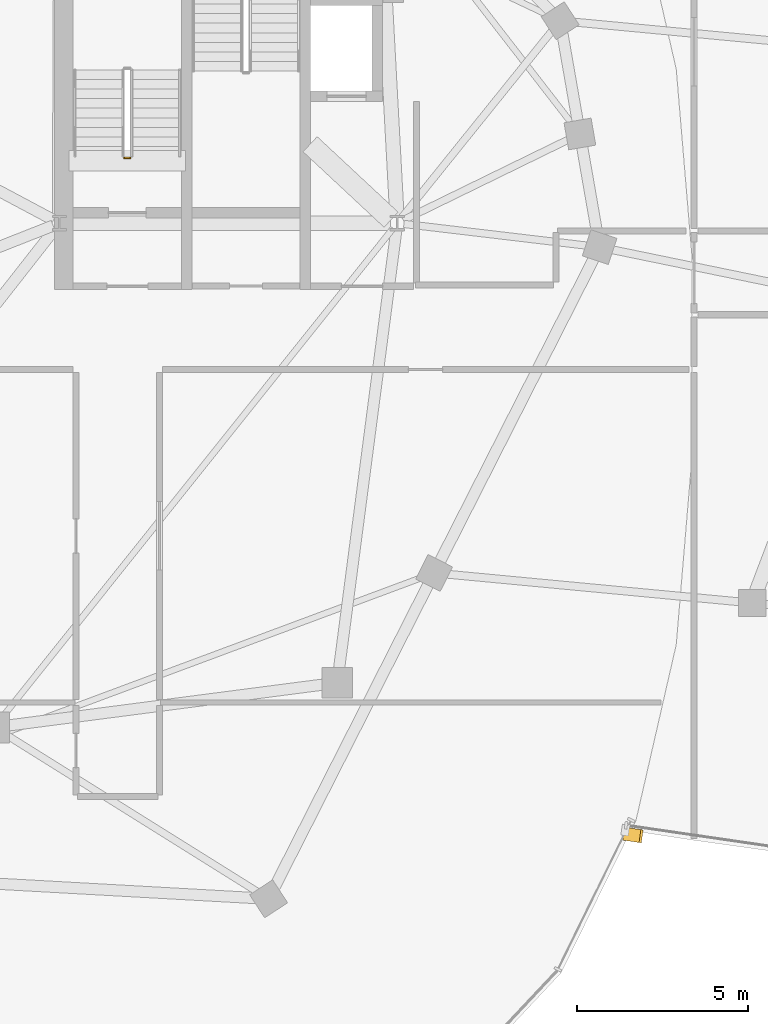
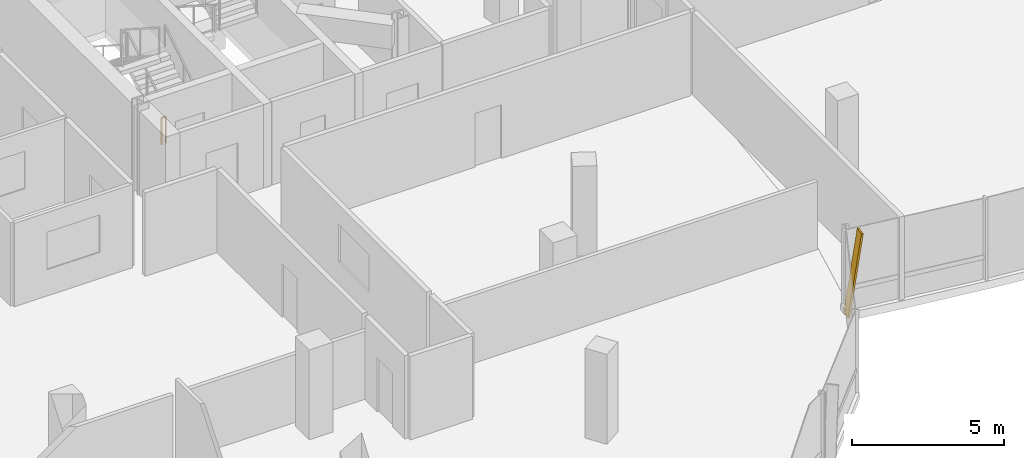
# One storey, part 21 of 25: 1 railing, 1 shading device.
"""IFC4 building model written with IfcOpenShell, lengths in metres."""

from ifc_helpers import new_model, si_unit, direction, frame, origin, origin_2d, place, context, subcontext, project, spatial, rectangle, extrude, material, material_profile, profile_set, type_object, element, save


model = new_model("IFC4")

# Units and contexts
model_context = context("Model", 3, precision=1e-05, world=origin(), true_north=direction((0.0, 1.0)))
body_context = subcontext(model_context, "Body", "Model", "MODEL_VIEW")
ifc_project = project(units=[si_unit("LENGTHUNIT", "METRE"), si_unit("AREAUNIT", "SQUARE_METRE"), si_unit("VOLUMEUNIT", "CUBIC_METRE"), si_unit("PLANEANGLEUNIT", "RADIAN"), si_unit("MASSUNIT", "GRAM", prefix="KILO"), si_unit("THERMODYNAMICTEMPERATUREUNIT", "KELVIN"), si_unit("POWERUNIT", "WATT")], contexts=[model_context])

# Site, building, storey
site_placement = place(None, origin())
site = spatial("IfcSite", under=ifc_project, at=site_placement, CompositionType="ELEMENT")
building_placement = place(site_placement, origin())
building = spatial("IfcBuilding", under=site, at=building_placement, Name="Cundina Bronze Exchange", CompositionType="ELEMENT")
storey_placement = place(building_placement, frame((0.0, 0.0, 257.60009765625)))
storey = spatial("IfcBuildingStorey", under=building, at=storey_placement, Name="L68", CompositionType="ELEMENT", Elevation=257.60009765625)

# Railing
ifc_material_1 = material(Name="Steel ASTM A36 Painted", Category="steel")
railing_type = type_object("IfcRailingType", Name="RLG-STG-1100", PredefinedType="GUARDRAIL", material=ifc_material_1)
railing_placement = place(storey_placement, frame((-29.239990234375, 5.800048828125, 0.0)))
element("IfcRailing", 1, at=railing_placement, inside=storey, type_object=railing_type, Name="L68 ST-W1 stair guard 4", PredefinedType="GUARDRAIL", context=body_context, shape_type="SweptSolid", body=[
    extrude(rectangle(XDim=0.048095703125, YDim=0.048095703125, at=origin_2d()), frame((0.0, 0.0, 1.076171875), z_axis=(-1.0, 0.0, 0.0), x_axis=(0.0, -1.0, 0.0)), (0.0, 0.0, 1.0), 0.159912109375),
    extrude(rectangle(XDim=0.0419921875, YDim=0.0419921875, at=origin_2d()), origin(), (0.0, 0.0, 1.0), 1.052001953125),
    extrude(rectangle(XDim=0.0419921875, YDim=0.0419921875, at=origin_2d()), frame((-0.159912109375, 0.0, 0.0)), (0.0, 0.0, 1.0), 1.052001953125),
])

# Shading device
ifc_material_2 = material(Name="Anodised Bronze Aluminium 6063-T6", Category="aluminium")
ifc_material_profile = material_profile(ifc_material_2, rectangle(XDim=0.070068359375, YDim=0.3798828125, at=origin_2d()), Name="FIN70X380", Category="aluminium")
ifc_profile_set = profile_set([ifc_material_profile], Name="Anodised Bronze Aluminium 6063-T6")
shading_device_type = type_object("IfcShadingDeviceType", Name="SHD-FIN-BRZ380", PredefinedType="USERDEFINED", material=ifc_profile_set)
shading_device_placement = place(storey_placement, frame((-14.8154296875, -13.90625, 0.02001953125), z_axis=(0.145051508968, -0.021168873868, 0.989197623595), x_axis=(-0.978828704224, 0.142850643371, 0.1465880673)))
element("IfcShadingDevice", 2, at=shading_device_placement, inside=storey, type_object=shading_device_type, Name="L68 Diagonal Bronze Solar Fin 1", ObjectType="FIN", PredefinedType="USERDEFINED", context=body_context, shape_type="SweptSolid", body=[
    extrude(rectangle(XDim=0.070068359375, YDim=0.3798828125, at=origin_2d()), origin(), (0.0, 0.0, 1.0), 3.275390625),
])

save(model, "model.ifc")
